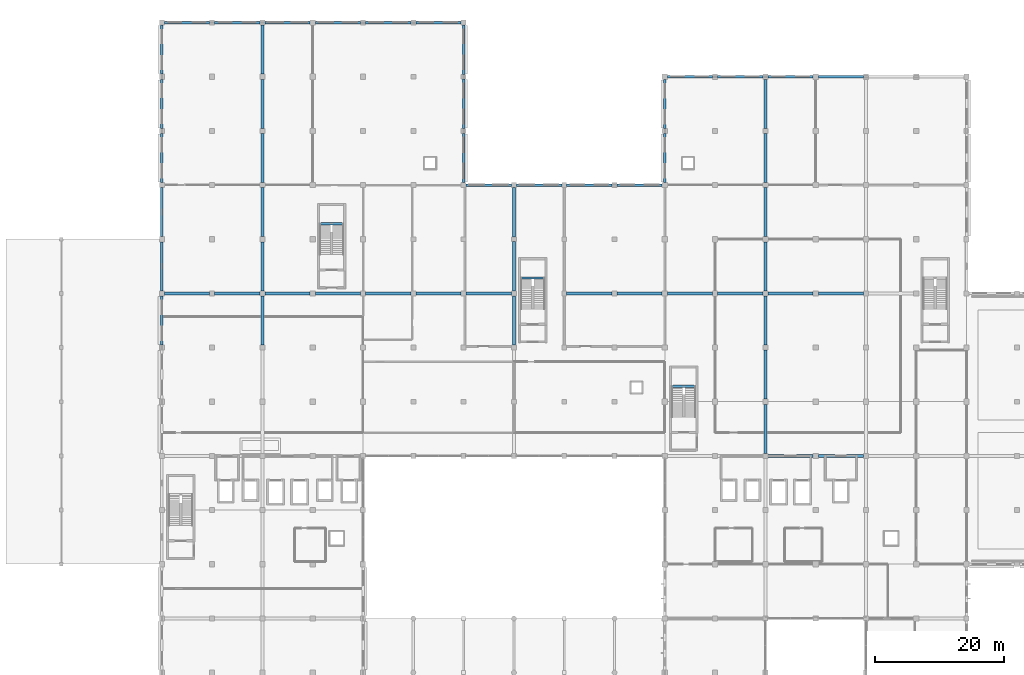
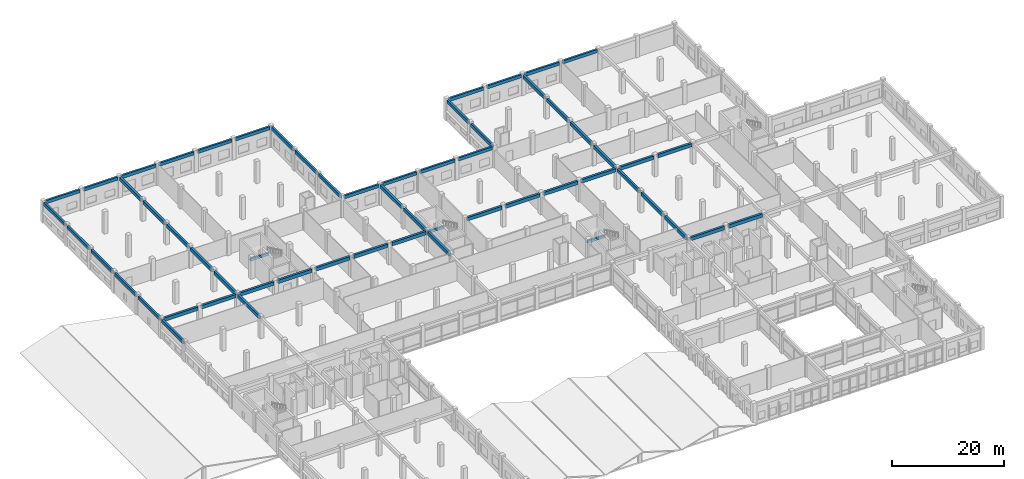
# One storey, part 28 of 62: 59 beams.
"""IFC4 building model written with IfcOpenShell, lengths in metres."""

from ifc_helpers import new_model, si_unit, direction, frame, origin, origin_2d, place, context, subcontext, project, spatial, rectangle, extrude, material, material_profile, profile_set, type_object, element, save


model = new_model("IFC4")

# Units and contexts
model_context = context("Model", 3, precision=1e-05, world=origin(), true_north=direction((0.0, 1.0)))
body_context = subcontext(model_context, "Body", "Model", "MODEL_VIEW")
ifc_project = project(units=[si_unit("LENGTHUNIT", "METRE"), si_unit("AREAUNIT", "SQUARE_METRE"), si_unit("VOLUMEUNIT", "CUBIC_METRE"), si_unit("PLANEANGLEUNIT", "RADIAN"), si_unit("MASSUNIT", "GRAM", prefix="KILO"), si_unit("THERMODYNAMICTEMPERATUREUNIT", "KELVIN"), si_unit("POWERUNIT", "WATT")], contexts=[model_context])

# Site, building, storey
site_placement = place(None, origin())
site = spatial("IfcSite", under=ifc_project, at=site_placement, CompositionType="ELEMENT")
building_placement = place(site_placement, origin())
building = spatial("IfcBuilding", under=site, at=building_placement, Name="Srebrne Nadtorze General Hospital", CompositionType="ELEMENT")
storey_placement = place(building_placement, frame((0.0, 0.0, 9.60009765625)))
storey = spatial("IfcBuildingStorey", under=building, at=storey_placement, Name="L02", CompositionType="ELEMENT", Elevation=9.60009765625)

# Beams
ifc_material_1 = material(Name="Concrete C40/50", Category="concrete")
ifc_material_profile_1 = material_profile(ifc_material_1, rectangle(XDim=0.39990234375, YDim=0.699951171875, at=origin_2d()), Name="RC-BM-400x700")
ifc_profile_set_1 = profile_set([ifc_material_profile_1], Name="Concrete C40/50")
beam_type_1 = type_object("IfcBeamType", Name="Edge beam RC 400x700", PredefinedType="BEAM", material=ifc_profile_set_1)
for number, where, z_axis, x_axis, name in (
    (1, (70.574951171875, 92.39990234375, 4.14990234375), (1.0, 0.0, 0.0), (0.0, 1.0, 0.0), "Beam BM-L02-X-0614"),
    (2, (78.375, 92.39990234375, 4.14990234375), (1.0, 0.0, 0.0), (0.0, 1.0, 0.0), "Beam BM-L02-X-0615"),
    (3, (86.175048828125, 92.39990234375, 4.14990234375), (1.0, 0.0, 0.0), (0.0, 1.0, 0.0), "Beam BM-L02-X-0616"),
):
    element("IfcBeam", number, at=place(storey_placement, frame(where, z_axis=z_axis, x_axis=x_axis)), inside=storey, type_object=beam_type_1, Name=name, PredefinedType="BEAM", context=body_context, shape_type="SweptSolid", body=[
        extrude(rectangle(XDim=0.39990234375, YDim=0.699951171875, at=origin_2d()), origin(), (0.0, 0.0, 1.0), 7.050048828125),
    ])
beam_1_placement = place(storey_placement, frame((93.97509765625, 92.39990234375, 4.14990234375), z_axis=(1.0, 0.0, 0.0), x_axis=(0.0, 1.0, 0.0)))
element("IfcBeam", 4, at=beam_1_placement, inside=storey, type_object=beam_type_1, Name="Beam BM-L02-X-0617", PredefinedType="BEAM", context=body_context, shape_type="SweptSolid", body=[
    extrude(rectangle(XDim=0.39990234375, YDim=0.699951171875, at=origin_2d()), origin(), (0.0, 0.0, 1.0), 7.02490234375),
])
for number, where, z_axis, x_axis, name in (
    (5, (101.800048828125, 109.199951171875, 4.14990234375), (1.0, 0.0, 0.0), (0.0, 1.0, 0.0), "Beam BM-L02-X-0618"),
    (6, (109.60009765625, 109.199951171875, 4.14990234375), (1.0, 0.0, 0.0), (0.0, 1.0, 0.0), "Beam BM-L02-X-0619"),
    (7, (117.39990234375, 109.199951171875, 4.14990234375), (1.0, 0.0, 0.0), (0.0, 1.0, 0.0), "Beam BM-L02-X-0620"),
    (8, (125.199951171875, 109.199951171875, 4.14990234375), (1.0, 0.0, 0.0), (0.0, 1.0, 0.0), "Beam BM-L02-X-0621"),
    (9, (23.800048828125, 117.60009765625, 4.14990234375), (1.0, 0.0, 0.0), (0.0, 1.0, 0.0), "Beam BM-L02-X-0624"),
    (10, (31.60009765625, 117.60009765625, 4.14990234375), (1.0, 0.0, 0.0), (0.0, 1.0, 0.0), "Beam BM-L02-X-0625"),
    (11, (39.39990234375, 117.60009765625, 4.14990234375), (1.0, 0.0, 0.0), (0.0, 1.0, 0.0), "Beam BM-L02-X-0626"),
    (12, (47.199951171875, 117.60009765625, 4.14990234375), (1.0, 0.0, 0.0), (0.0, 1.0, 0.0), "Beam BM-L02-X-0627"),
):
    element("IfcBeam", number, at=place(storey_placement, frame(where, z_axis=z_axis, x_axis=x_axis)), inside=storey, type_object=beam_type_1, Name=name, PredefinedType="BEAM", context=body_context, shape_type="SweptSolid", body=[
        extrude(rectangle(XDim=0.39990234375, YDim=0.699951171875, at=origin_2d()), origin(), (0.0, 0.0, 1.0), 7.0),
    ])
beam_2_placement = place(storey_placement, frame((55.0, 117.60009765625, 4.14990234375), z_axis=(1.0, 0.0, 0.0), x_axis=(0.0, 1.0, 0.0)))
element("IfcBeam", 13, at=beam_2_placement, inside=storey, type_object=beam_type_1, Name="Beam BM-L02-X-0628", PredefinedType="BEAM", context=body_context, shape_type="SweptSolid", body=[
    extrude(rectangle(XDim=0.39990234375, YDim=0.699951171875, at=origin_2d()), origin(), (0.0, 0.0, 1.0), 7.02490234375),
])
beam_3_placement = place(storey_placement, frame((62.77490234375, 117.60009765625, 4.14990234375), z_axis=(1.0, 0.0, 0.0), x_axis=(0.0, 1.0, 0.0)))
element("IfcBeam", 14, at=beam_3_placement, inside=storey, type_object=beam_type_1, Name="Beam BM-L02-X-0629", PredefinedType="BEAM", context=body_context, shape_type="SweptSolid", body=[
    extrude(rectangle(XDim=0.39990234375, YDim=0.699951171875, at=origin_2d()), origin(), (0.0, 0.0, 1.0), 7.050048828125),
])
beam_4_placement = place(storey_placement, frame((23.39990234375, 67.60009765625, 4.14990234375), z_axis=(0.0, 1.0, 0.0), x_axis=(-1.0, 0.0, 0.0)))
element("IfcBeam", 15, at=beam_4_placement, inside=storey, type_object=beam_type_1, Name="Beam BM-L02-Y-0638", PredefinedType="BEAM", context=body_context, shape_type="SweptSolid", body=[
    extrude(rectangle(XDim=0.39990234375, YDim=0.699951171875, at=origin_2d()), origin(), (0.0, 0.0, 1.0), 7.599853515625),
])
for number, where, z_axis, x_axis, name in (
    (16, (23.39990234375, 76.0, 4.14990234375), (0.0, 1.0, 0.0), (-1.0, 0.0, 0.0), "Beam BM-L02-Y-0639"),
    (17, (23.39990234375, 84.39990234375, 4.14990234375), (0.0, 1.0, 0.0), (-1.0, 0.0, 0.0), "Beam BM-L02-Y-0640"),
):
    element("IfcBeam", number, at=place(storey_placement, frame(where, z_axis=z_axis, x_axis=x_axis)), inside=storey, type_object=beam_type_1, Name=name, PredefinedType="BEAM", context=body_context, shape_type="SweptSolid", body=[
        extrude(rectangle(XDim=0.39990234375, YDim=0.699951171875, at=origin_2d()), origin(), (0.0, 0.0, 1.0), 7.60009765625),
    ])
beam_5_placement = place(storey_placement, frame((23.39990234375, 92.800048828125, 4.14990234375), z_axis=(0.0, 1.0, 0.0), x_axis=(-1.0, 0.0, 0.0)))
element("IfcBeam", 18, at=beam_5_placement, inside=storey, type_object=beam_type_1, Name="Beam BM-L02-Y-0641", PredefinedType="BEAM", context=body_context, shape_type="SweptSolid", body=[
    extrude(rectangle(XDim=0.39990234375, YDim=0.699951171875, at=origin_2d()), origin(), (0.0, 0.0, 1.0), 7.599853515625),
])
beam_6_placement = place(storey_placement, frame((23.39990234375, 101.199951171875, 4.14990234375), z_axis=(0.0, 1.0, 0.0), x_axis=(-1.0, 0.0, 0.0)))
element("IfcBeam", 19, at=beam_6_placement, inside=storey, type_object=beam_type_1, Name="Beam BM-L02-Y-0642", PredefinedType="BEAM", context=body_context, shape_type="SweptSolid", body=[
    extrude(rectangle(XDim=0.39990234375, YDim=0.699951171875, at=origin_2d()), origin(), (0.0, 0.0, 1.0), 7.60009765625),
])
beam_7_placement = place(storey_placement, frame((23.39990234375, 109.60009765625, 4.14990234375), z_axis=(0.0, 1.0, 0.0), x_axis=(-1.0, 0.0, 0.0)))
element("IfcBeam", 20, at=beam_7_placement, inside=storey, type_object=beam_type_1, Name="Beam BM-L02-Y-0643", PredefinedType="BEAM", context=body_context, shape_type="SweptSolid", body=[
    extrude(rectangle(XDim=0.39990234375, YDim=0.699951171875, at=origin_2d()), origin(), (0.0, 0.0, 1.0), 7.599853515625),
])
beam_8_placement = place(storey_placement, frame((70.199951171875, 92.77490234375, 4.14990234375), z_axis=(0.0, 1.0, 0.0), x_axis=(-1.0, 0.0, 0.0)))
element("IfcBeam", 21, at=beam_8_placement, inside=storey, type_object=beam_type_1, Name="Beam BM-L02-Y-0664", PredefinedType="BEAM", context=body_context, shape_type="SweptSolid", body=[
    extrude(rectangle(XDim=0.39990234375, YDim=0.699951171875, at=origin_2d()), origin(), (0.0, 0.0, 1.0), 7.650146484375),
])
beam_9_placement = place(storey_placement, frame((70.199951171875, 101.175048828125, 4.14990234375), z_axis=(0.0, 1.0, 0.0), x_axis=(-1.0, 0.0, 0.0)))
element("IfcBeam", 22, at=beam_9_placement, inside=storey, type_object=beam_type_1, Name="Beam BM-L02-Y-0665", PredefinedType="BEAM", context=body_context, shape_type="SweptSolid", body=[
    extrude(rectangle(XDim=0.39990234375, YDim=0.699951171875, at=origin_2d()), origin(), (0.0, 0.0, 1.0), 7.64990234375),
])
beam_10_placement = place(storey_placement, frame((70.199951171875, 109.574951171875, 4.14990234375), z_axis=(0.0, 1.0, 0.0), x_axis=(-1.0, 0.0, 0.0)))
element("IfcBeam", 23, at=beam_10_placement, inside=storey, type_object=beam_type_1, Name="Beam BM-L02-Y-0666", PredefinedType="BEAM", context=body_context, shape_type="SweptSolid", body=[
    extrude(rectangle(XDim=0.39990234375, YDim=0.699951171875, at=origin_2d()), origin(), (0.0, 0.0, 1.0), 7.650146484375),
])
beam_11_placement = place(storey_placement, frame((101.39990234375, 92.800048828125, 4.14990234375), z_axis=(0.0, 1.0, 0.0), x_axis=(-1.0, 0.0, 0.0)))
element("IfcBeam", 24, at=beam_11_placement, inside=storey, type_object=beam_type_1, Name="Beam BM-L02-Y-0678", PredefinedType="BEAM", context=body_context, shape_type="SweptSolid", body=[
    extrude(rectangle(XDim=0.39990234375, YDim=0.699951171875, at=origin_2d()), origin(), (0.0, 0.0, 1.0), 7.599853515625),
])
beam_12_placement = place(storey_placement, frame((101.39990234375, 101.199951171875, 4.14990234375), z_axis=(0.0, 1.0, 0.0), x_axis=(-1.0, 0.0, 0.0)))
element("IfcBeam", 25, at=beam_12_placement, inside=storey, type_object=beam_type_1, Name="Beam BM-L02-Y-0679", PredefinedType="BEAM", context=body_context, shape_type="SweptSolid", body=[
    extrude(rectangle(XDim=0.39990234375, YDim=0.699951171875, at=origin_2d()), origin(), (0.0, 0.0, 1.0), 7.60009765625),
])
ifc_material_2 = material(Name="Concrete C40/50", Category="concrete")
ifc_material_profile_2 = material_profile(ifc_material_2, rectangle(XDim=0.449951171875, YDim=0.75, at=origin_2d()), Name="RC-BM-450x750")
ifc_profile_set_2 = profile_set([ifc_material_profile_2], Name="Concrete C40/50")
beam_type_2 = type_object("IfcBeamType", Name="Primary beam RC 450x750", PredefinedType="BEAM", material=ifc_profile_set_2)
for number, where, z_axis, x_axis, name in (
    (26, (117.39990234375, 50.39990234375, 4.125), (1.0, 0.0, 0.0), (0.0, 1.0, 0.0), "Beam BM-L02-X-0590"),
    (27, (125.199951171875, 50.39990234375, 4.125), (1.0, 0.0, 0.0), (0.0, 1.0, 0.0), "Beam BM-L02-X-0591"),
    (28, (23.800048828125, 75.60009765625, 4.125), (1.0, 0.0, 0.0), (0.0, 1.0, 0.0), "Beam BM-L02-X-0597"),
    (29, (31.60009765625, 75.60009765625, 4.125), (1.0, 0.0, 0.0), (0.0, 1.0, 0.0), "Beam BM-L02-X-0598"),
    (30, (39.39990234375, 75.60009765625, 4.125), (1.0, 0.0, 0.0), (0.0, 1.0, 0.0), "Beam BM-L02-X-0599"),
    (31, (47.199951171875, 75.60009765625, 4.125), (1.0, 0.0, 0.0), (0.0, 1.0, 0.0), "Beam BM-L02-X-0600"),
):
    element("IfcBeam", number, at=place(storey_placement, frame(where, z_axis=z_axis, x_axis=x_axis)), inside=storey, type_object=beam_type_2, Name=name, PredefinedType="BEAM", context=body_context, shape_type="SweptSolid", body=[
        extrude(rectangle(XDim=0.449951171875, YDim=0.75, at=origin_2d()), origin(), (0.0, 0.0, 1.0), 7.0),
    ])
beam_13_placement = place(storey_placement, frame((55.0, 75.60009765625, 4.125), z_axis=(1.0, 0.0, 0.0), x_axis=(0.0, 1.0, 0.0)))
element("IfcBeam", 32, at=beam_13_placement, inside=storey, type_object=beam_type_2, Name="Beam BM-L02-X-0601", PredefinedType="BEAM", context=body_context, shape_type="SweptSolid", body=[
    extrude(rectangle(XDim=0.449951171875, YDim=0.75, at=origin_2d()), origin(), (0.0, 0.0, 1.0), 7.02490234375),
])
for number, where, z_axis, x_axis, name in (
    (33, (62.77490234375, 75.60009765625, 4.125), (1.0, 0.0, 0.0), (0.0, 1.0, 0.0), "Beam BM-L02-X-0602"),
    (34, (70.574951171875, 75.60009765625, 4.125), (1.0, 0.0, 0.0), (0.0, 1.0, 0.0), "Beam BM-L02-X-0603"),
    (35, (86.175048828125, 75.60009765625, 4.125), (1.0, 0.0, 0.0), (0.0, 1.0, 0.0), "Beam BM-L02-X-0604"),
):
    element("IfcBeam", number, at=place(storey_placement, frame(where, z_axis=z_axis, x_axis=x_axis)), inside=storey, type_object=beam_type_2, Name=name, PredefinedType="BEAM", context=body_context, shape_type="SweptSolid", body=[
        extrude(rectangle(XDim=0.449951171875, YDim=0.75, at=origin_2d()), origin(), (0.0, 0.0, 1.0), 7.050048828125),
    ])
beam_14_placement = place(storey_placement, frame((93.97509765625, 75.60009765625, 4.125), z_axis=(1.0, 0.0, 0.0), x_axis=(0.0, 1.0, 0.0)))
element("IfcBeam", 36, at=beam_14_placement, inside=storey, type_object=beam_type_2, Name="Beam BM-L02-X-0605", PredefinedType="BEAM", context=body_context, shape_type="SweptSolid", body=[
    extrude(rectangle(XDim=0.449951171875, YDim=0.75, at=origin_2d()), origin(), (0.0, 0.0, 1.0), 7.02490234375),
])
for number, where, z_axis, x_axis, name in (
    (37, (101.800048828125, 75.60009765625, 4.125), (1.0, 0.0, 0.0), (0.0, 1.0, 0.0), "Beam BM-L02-X-0606"),
    (38, (109.60009765625, 75.60009765625, 4.125), (1.0, 0.0, 0.0), (0.0, 1.0, 0.0), "Beam BM-L02-X-0607"),
    (39, (117.39990234375, 75.60009765625, 4.125), (1.0, 0.0, 0.0), (0.0, 1.0, 0.0), "Beam BM-L02-X-0608"),
    (40, (125.199951171875, 75.60009765625, 4.125), (1.0, 0.0, 0.0), (0.0, 1.0, 0.0), "Beam BM-L02-X-0609"),
):
    element("IfcBeam", number, at=place(storey_placement, frame(where, z_axis=z_axis, x_axis=x_axis)), inside=storey, type_object=beam_type_2, Name=name, PredefinedType="BEAM", context=body_context, shape_type="SweptSolid", body=[
        extrude(rectangle(XDim=0.449951171875, YDim=0.75, at=origin_2d()), origin(), (0.0, 0.0, 1.0), 7.0),
    ])
beam_15_placement = place(storey_placement, frame((39.0, 67.60009765625, 4.125), z_axis=(0.0, 1.0, 0.0), x_axis=(-1.0, 0.0, 0.0)))
element("IfcBeam", 41, at=beam_15_placement, inside=storey, type_object=beam_type_2, Name="Beam BM-L02-Y-0652", PredefinedType="BEAM", context=body_context, shape_type="SweptSolid", body=[
    extrude(rectangle(XDim=0.449951171875, YDim=0.75, at=origin_2d()), origin(), (0.0, 0.0, 1.0), 7.599853515625),
])
for number, where, z_axis, x_axis, name in (
    (42, (39.0, 76.0, 4.125), (0.0, 1.0, 0.0), (-1.0, 0.0, 0.0), "Beam BM-L02-Y-0653"),
    (43, (39.0, 84.39990234375, 4.125), (0.0, 1.0, 0.0), (-1.0, 0.0, 0.0), "Beam BM-L02-Y-0654"),
):
    element("IfcBeam", number, at=place(storey_placement, frame(where, z_axis=z_axis, x_axis=x_axis)), inside=storey, type_object=beam_type_2, Name=name, PredefinedType="BEAM", context=body_context, shape_type="SweptSolid", body=[
        extrude(rectangle(XDim=0.449951171875, YDim=0.75, at=origin_2d()), origin(), (0.0, 0.0, 1.0), 7.60009765625),
    ])
beam_16_placement = place(storey_placement, frame((39.0, 92.800048828125, 4.125), z_axis=(0.0, 1.0, 0.0), x_axis=(-1.0, 0.0, 0.0)))
element("IfcBeam", 44, at=beam_16_placement, inside=storey, type_object=beam_type_2, Name="Beam BM-L02-Y-0655", PredefinedType="BEAM", context=body_context, shape_type="SweptSolid", body=[
    extrude(rectangle(XDim=0.449951171875, YDim=0.75, at=origin_2d()), origin(), (0.0, 0.0, 1.0), 7.599853515625),
])
beam_17_placement = place(storey_placement, frame((39.0, 101.199951171875, 4.125), z_axis=(0.0, 1.0, 0.0), x_axis=(-1.0, 0.0, 0.0)))
element("IfcBeam", 45, at=beam_17_placement, inside=storey, type_object=beam_type_2, Name="Beam BM-L02-Y-0656", PredefinedType="BEAM", context=body_context, shape_type="SweptSolid", body=[
    extrude(rectangle(XDim=0.449951171875, YDim=0.75, at=origin_2d()), origin(), (0.0, 0.0, 1.0), 7.60009765625),
])
beam_18_placement = place(storey_placement, frame((39.0, 109.60009765625, 4.125), z_axis=(0.0, 1.0, 0.0), x_axis=(-1.0, 0.0, 0.0)))
element("IfcBeam", 46, at=beam_18_placement, inside=storey, type_object=beam_type_2, Name="Beam BM-L02-Y-0657", PredefinedType="BEAM", context=body_context, shape_type="SweptSolid", body=[
    extrude(rectangle(XDim=0.449951171875, YDim=0.75, at=origin_2d()), origin(), (0.0, 0.0, 1.0), 7.599853515625),
])
beam_19_placement = place(storey_placement, frame((78.0, 67.574951171875, 4.125), z_axis=(0.0, 1.0, 0.0), x_axis=(-1.0, 0.0, 0.0)))
element("IfcBeam", 47, at=beam_19_placement, inside=storey, type_object=beam_type_2, Name="Beam BM-L02-Y-0669", PredefinedType="BEAM", context=body_context, shape_type="SweptSolid", body=[
    extrude(rectangle(XDim=0.449951171875, YDim=0.75, at=origin_2d()), origin(), (0.0, 0.0, 1.0), 7.650146484375),
])
for number, where, z_axis, x_axis, name in (
    (48, (78.0, 75.97509765625, 4.125), (0.0, 1.0, 0.0), (-1.0, 0.0, 0.0), "Beam BM-L02-Y-0670"),
    (49, (78.0, 84.375, 4.125), (0.0, 1.0, 0.0), (-1.0, 0.0, 0.0), "Beam BM-L02-Y-0671"),
):
    element("IfcBeam", number, at=place(storey_placement, frame(where, z_axis=z_axis, x_axis=x_axis)), inside=storey, type_object=beam_type_2, Name=name, PredefinedType="BEAM", context=body_context, shape_type="SweptSolid", body=[
        extrude(rectangle(XDim=0.449951171875, YDim=0.75, at=origin_2d()), origin(), (0.0, 0.0, 1.0), 7.64990234375),
    ])
beam_20_placement = place(storey_placement, frame((117.0, 50.800048828125, 4.125), z_axis=(0.0, 1.0, 0.0), x_axis=(-1.0, 0.0, 0.0)))
element("IfcBeam", 50, at=beam_20_placement, inside=storey, type_object=beam_type_2, Name="Beam BM-L02-Y-0686", PredefinedType="BEAM", context=body_context, shape_type="SweptSolid", body=[
    extrude(rectangle(XDim=0.449951171875, YDim=0.75, at=origin_2d()), origin(), (0.0, 0.0, 1.0), 7.599853515625),
])
beam_21_placement = place(storey_placement, frame((117.0, 59.199951171875, 4.125), z_axis=(0.0, 1.0, 0.0), x_axis=(-1.0, 0.0, 0.0)))
element("IfcBeam", 51, at=beam_21_placement, inside=storey, type_object=beam_type_2, Name="Beam BM-L02-Y-0687", PredefinedType="BEAM", context=body_context, shape_type="SweptSolid", body=[
    extrude(rectangle(XDim=0.449951171875, YDim=0.75, at=origin_2d()), origin(), (0.0, 0.0, 1.0), 7.60009765625),
])
beam_22_placement = place(storey_placement, frame((117.0, 67.60009765625, 4.125), z_axis=(0.0, 1.0, 0.0), x_axis=(-1.0, 0.0, 0.0)))
element("IfcBeam", 52, at=beam_22_placement, inside=storey, type_object=beam_type_2, Name="Beam BM-L02-Y-0688", PredefinedType="BEAM", context=body_context, shape_type="SweptSolid", body=[
    extrude(rectangle(XDim=0.449951171875, YDim=0.75, at=origin_2d()), origin(), (0.0, 0.0, 1.0), 7.599853515625),
])
for number, where, z_axis, x_axis, name in (
    (53, (117.0, 76.0, 4.125), (0.0, 1.0, 0.0), (-1.0, 0.0, 0.0), "Beam BM-L02-Y-0689"),
    (54, (117.0, 84.39990234375, 4.125), (0.0, 1.0, 0.0), (-1.0, 0.0, 0.0), "Beam BM-L02-Y-0690"),
):
    element("IfcBeam", number, at=place(storey_placement, frame(where, z_axis=z_axis, x_axis=x_axis)), inside=storey, type_object=beam_type_2, Name=name, PredefinedType="BEAM", context=body_context, shape_type="SweptSolid", body=[
        extrude(rectangle(XDim=0.449951171875, YDim=0.75, at=origin_2d()), origin(), (0.0, 0.0, 1.0), 7.60009765625),
    ])
beam_23_placement = place(storey_placement, frame((117.0, 92.800048828125, 4.125), z_axis=(0.0, 1.0, 0.0), x_axis=(-1.0, 0.0, 0.0)))
element("IfcBeam", 55, at=beam_23_placement, inside=storey, type_object=beam_type_2, Name="Beam BM-L02-Y-0691", PredefinedType="BEAM", context=body_context, shape_type="SweptSolid", body=[
    extrude(rectangle(XDim=0.449951171875, YDim=0.75, at=origin_2d()), origin(), (0.0, 0.0, 1.0), 7.599853515625),
])
beam_24_placement = place(storey_placement, frame((117.0, 101.199951171875, 4.125), z_axis=(0.0, 1.0, 0.0), x_axis=(-1.0, 0.0, 0.0)))
element("IfcBeam", 56, at=beam_24_placement, inside=storey, type_object=beam_type_2, Name="Beam BM-L02-Y-0692", PredefinedType="BEAM", context=body_context, shape_type="SweptSolid", body=[
    extrude(rectangle(XDim=0.449951171875, YDim=0.75, at=origin_2d()), origin(), (0.0, 0.0, 1.0), 7.60009765625),
])
ifc_material_3 = material(Name="Concrete C35/45", Category="concrete")
ifc_material_profile_3 = material_profile(ifc_material_3, rectangle(XDim=0.35009765625, YDim=0.550048828125, at=origin_2d()), Name="RC-BM-350x550")
ifc_profile_set_3 = profile_set([ifc_material_profile_3], Name="Concrete C35/45")
beam_type_3 = type_object("IfcBeamType", Name="Spandrel lintel beam RC 350x550", PredefinedType="LINTEL", material=ifc_profile_set_3)
for number, where, z_axis, x_axis, name in (
    (57, (47.85009765625, 86.39990234375, 2.125), (1.0, 0.0, 0.0), (0.0, 1.0, 0.0), "Stair landing header beam ST-02 L02"),
    (58, (102.449951171875, 61.199951171875, 2.125), (1.0, 0.0, 0.0), (0.0, 1.0, 0.0), "Stair landing header beam ST-03 L02"),
    (59, (79.050048828125, 78.0, 2.125), (1.0, 0.0, 0.0), (0.0, 1.0, 0.0), "Stair landing header beam ST-07 L02"),
):
    element("IfcBeam", number, at=place(storey_placement, frame(where, z_axis=z_axis, x_axis=x_axis)), inside=storey, type_object=beam_type_3, Name=name, PredefinedType="LINTEL", context=body_context, shape_type="SweptSolid", body=[
        extrude(rectangle(XDim=0.35009765625, YDim=0.550048828125, at=origin_2d()), origin(), (0.0, 0.0, 1.0), 3.75),
    ])

save(model, "model.ifc")
